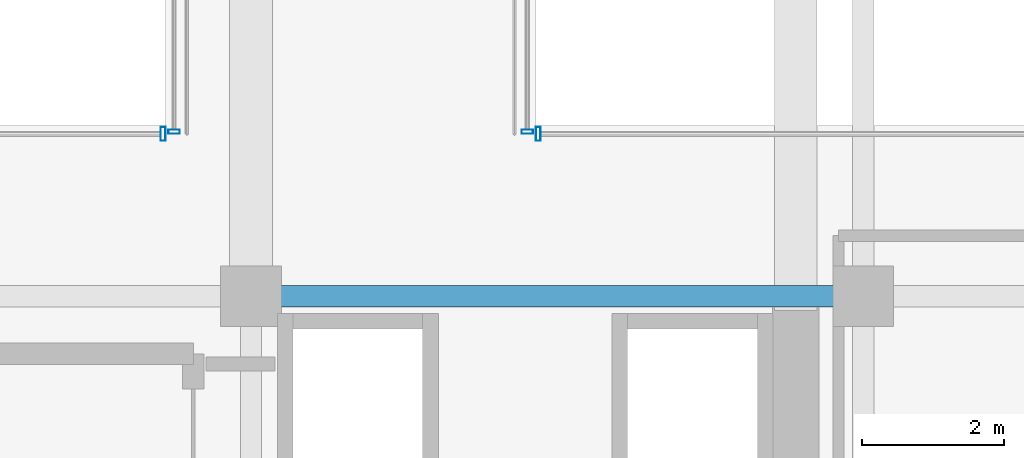
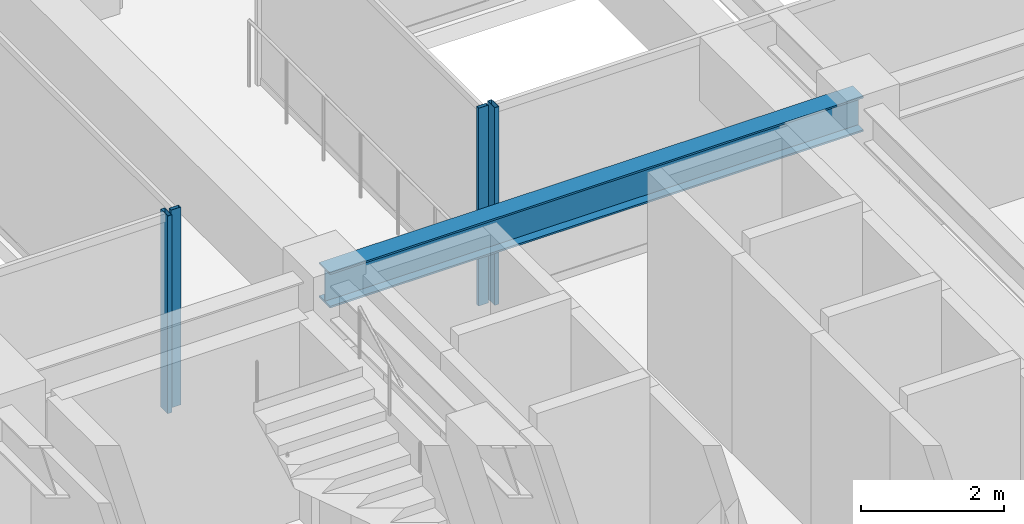
# One storey, part 19 of 47: 4 members, 1 beam, 4 elements without a shape of their own.
"""IFC4 building model written with IfcOpenShell, lengths in metres."""

from ifc_helpers import new_model, si_unit, direction, frame, origin, origin_2d, place, context, subcontext, project, spatial, hollow_rectangle, i_section, extrude, source, transform, mapped, material, material_profile, profile_set, type_object, element, aggregate, save


model = new_model("IFC4")

# Units and contexts
model_context = context("Model", 3, precision=1e-05, world=origin(), true_north=direction((0.0, 1.0)))
body_context = subcontext(model_context, "Body", "Model", "MODEL_VIEW")
ifc_project = project(units=[si_unit("LENGTHUNIT", "METRE"), si_unit("AREAUNIT", "SQUARE_METRE"), si_unit("VOLUMEUNIT", "CUBIC_METRE"), si_unit("PLANEANGLEUNIT", "RADIAN"), si_unit("MASSUNIT", "GRAM", prefix="KILO")], contexts=[model_context])

# Site, building, storey
site_placement = place(None, origin())
site = spatial("IfcSite", under=ifc_project, at=site_placement, CompositionType="ELEMENT")
building_placement = place(site_placement, origin())
building = spatial("IfcBuilding", under=site, at=building_placement, Name="Nahalor Promenade Grand Hotel", CompositionType="ELEMENT")
storey_placement = place(building_placement, frame((0.0, 0.0, 68.89990234375)))
storey = spatial("IfcBuildingStorey", under=building, at=storey_placement, Name="L16", CompositionType="ELEMENT", Elevation=68.89990234375)

# Beam
ifc_material_1 = material(Name="Steel S355JR", Category="steel")
ifc_material_profile_1 = material_profile(ifc_material_1, i_section(OverallWidth=0.3, OverallDepth=0.6, WebThickness=0.0155, FlangeThickness=0.03, at=origin_2d()), Name="HEB 600")
ifc_profile_set_1 = profile_set([ifc_material_profile_1], Name="Steel S355JR")
beam_type = type_object("IfcBeamType", Name="Beam-Girder-HEB600", PredefinedType="BEAM", material=ifc_profile_set_1)
shared_shape_1 = source(origin(), body_context, "Body", "SweptSolid", [
    extrude(i_section(OverallWidth=0.3, OverallDepth=0.6, WebThickness=0.0155, FlangeThickness=0.03, at=origin_2d()), origin(), (0.0, 0.0, 1.0), 8.60009765625),
])
beam_placement = place(storey_placement, frame((8.39990234375, -5.39990234375, 3.070068359375), z_axis=(1.0, 0.0, 0.0), x_axis=(0.0, 1.0, 0.0)))
element("IfcBeam", 1, at=beam_placement, inside=storey, type_object=beam_type, Name="BM-L16-GX-1-5", PredefinedType="BEAM", context=body_context, shape_type="MappedRepresentation", body=[
    mapped(shared_shape_1, transform((0.0, 0.0, 0.0), scale=1.0)),
])

# Curtain wall, member
ifc_material_2 = material(Name="Anodised Bronze Aluminium EN AW-6063 T6", Category="aluminium")
curtain_wall_type_1 = type_object("IfcCurtainWallType", Name="CW3 Elliptical-Void Collar Unitised Curtain Wall", PredefinedType="USERDEFINED", material=ifc_material_2)
curtain_wall_1_placement = place(storey_placement, origin())
curtain_wall_1 = element("IfcCurtainWall", 2, at=curtain_wall_1_placement, inside=storey, type_object=curtain_wall_type_1, Name="L16 Curtain Wall CW-L16-VOID-WS1", ObjectType="UNITISED_CURTAIN_WALL", PredefinedType="USERDEFINED")
ifc_material_profile_2 = material_profile(ifc_material_2, hollow_rectangle(XDim=0.07, YDim=0.2, WallThickness=0.005, at=origin_2d()), Name="CWM 70x200x5")
ifc_profile_set_2 = profile_set([ifc_material_profile_2], Name="Anodised Bronze Aluminium EN AW-6063 T6")
member_type_1 = type_object("IfcMemberType", Name="CWM3 Void Collar Mullion 70x200", PredefinedType="MULLION", material=ifc_profile_set_2)
shared_shape_2 = source(origin(), body_context, "Body", "SweptSolid", [
    extrude(hollow_rectangle(XDim=0.07, YDim=0.2, WallThickness=0.005, at=origin_2d()), origin(), (0.0, 0.0, 1.0), 3.3701171875),
])
member_1_placement = place(storey_placement, frame((7.1650390625, -3.118896484375, 0.0), z_axis=(0.0, 0.0, 1.0), x_axis=(1.0, 0.0, 0.0)))
member_1 = element("IfcMember", 3, at=member_1_placement, type_object=member_type_1, Name="CW-L16-VOID-WS1 Mullion 3", PredefinedType="MULLION", context=body_context, shape_type="MappedRepresentation", body=[
    mapped(shared_shape_2, transform((0.0, 0.0, 0.0), scale=1.0)),
])
aggregate(curtain_wall_1, [member_1])

curtain_wall_2_placement = place(storey_placement, origin())
curtain_wall_2 = element("IfcCurtainWall", 4, at=curtain_wall_2_placement, inside=storey, type_object=curtain_wall_type_1, Name="L16 Curtain Wall CW-L16-VOID-ES1", ObjectType="UNITISED_CURTAIN_WALL", PredefinedType="USERDEFINED")
member_2_placement = place(storey_placement, frame((12.43505859375, -3.118896484375, 0.0), z_axis=(0.0, 0.0, 1.0), x_axis=(1.0, 0.0, 0.0)))
member_2 = element("IfcMember", 5, at=member_2_placement, type_object=member_type_1, Name="CW-L16-VOID-ES1 Mullion 0", PredefinedType="MULLION", context=body_context, shape_type="MappedRepresentation", body=[
    mapped(shared_shape_2, transform((0.0, 0.0, 0.0), scale=1.0)),
])
aggregate(curtain_wall_2, [member_2])

curtain_wall_type_2 = type_object("IfcCurtainWallType", Name="CW4 Low-Iron Sky-Gallery Bridge Curtain Wall", PredefinedType="USERDEFINED", material=ifc_material_2)
curtain_wall_3_placement = place(storey_placement, origin())
curtain_wall_3 = element("IfcCurtainWall", 6, at=curtain_wall_3_placement, inside=storey, type_object=curtain_wall_type_2, Name="L16 Curtain Wall CW-L16-BRG-W", ObjectType="UNITISED_CURTAIN_WALL", PredefinedType="USERDEFINED")
ifc_material_profile_3 = material_profile(ifc_material_2, hollow_rectangle(XDim=0.06, YDim=0.16, WallThickness=0.004, at=origin_2d()), Name="CWM 60x160x4")
ifc_profile_set_3 = profile_set([ifc_material_profile_3], Name="Anodised Bronze Aluminium EN AW-6063 T6")
member_type_2 = type_object("IfcMemberType", Name="CWM4 Sky-Gallery Slim Mullion 60x160", PredefinedType="MULLION", material=ifc_profile_set_3)
shared_shape_3 = source(origin(), body_context, "Body", "SweptSolid", [
    extrude(hollow_rectangle(XDim=0.06, YDim=0.16, WallThickness=0.004, at=origin_2d()), origin(), (0.0, 0.0, 1.0), 3.3701171875),
])
member_3_placement = place(storey_placement, frame((7.320068359375, -3.089111328125, 0.0), z_axis=(0.0, 0.0, 1.0), x_axis=(0.0, 1.0, 0.0)))
member_3 = element("IfcMember", 7, at=member_3_placement, type_object=member_type_2, Name="CW-L16-BRG-W Mullion 0", PredefinedType="MULLION", context=body_context, shape_type="MappedRepresentation", body=[
    mapped(shared_shape_3, transform((0.0, 0.0, 0.0), scale=1.0)),
])
aggregate(curtain_wall_3, [member_3])

curtain_wall_4_placement = place(storey_placement, origin())
curtain_wall_4 = element("IfcCurtainWall", 8, at=curtain_wall_4_placement, inside=storey, type_object=curtain_wall_type_2, Name="L16 Curtain Wall CW-L16-BRG-E", ObjectType="UNITISED_CURTAIN_WALL", PredefinedType="USERDEFINED")
member_4_placement = place(storey_placement, frame((12.280029296875, -3.089111328125, 0.0), z_axis=(0.0, 0.0, 1.0), x_axis=(0.0, 1.0, 0.0)))
member_4 = element("IfcMember", 9, at=member_4_placement, type_object=member_type_2, Name="CW-L16-BRG-E Mullion 0", PredefinedType="MULLION", context=body_context, shape_type="MappedRepresentation", body=[
    mapped(shared_shape_3, transform((0.0, 0.0, 0.0), scale=1.0)),
])
aggregate(curtain_wall_4, [member_4])

save(model, "model.ifc")
